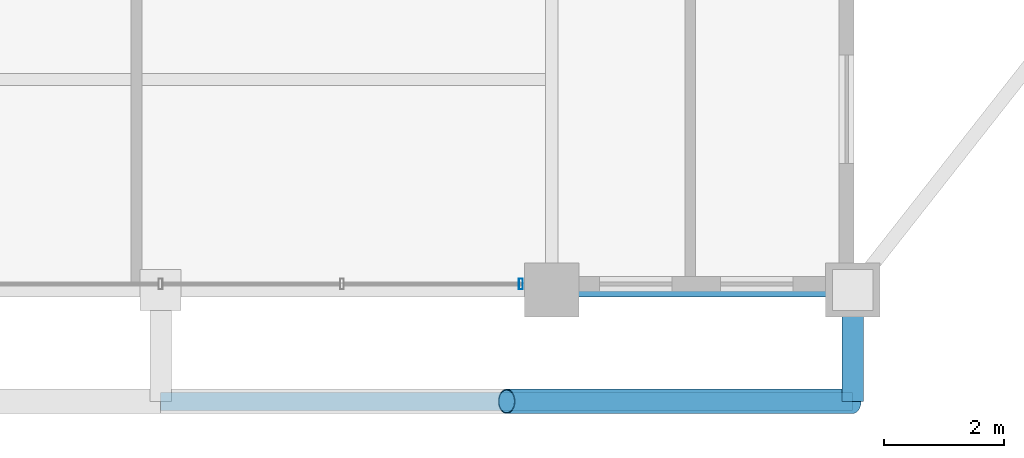
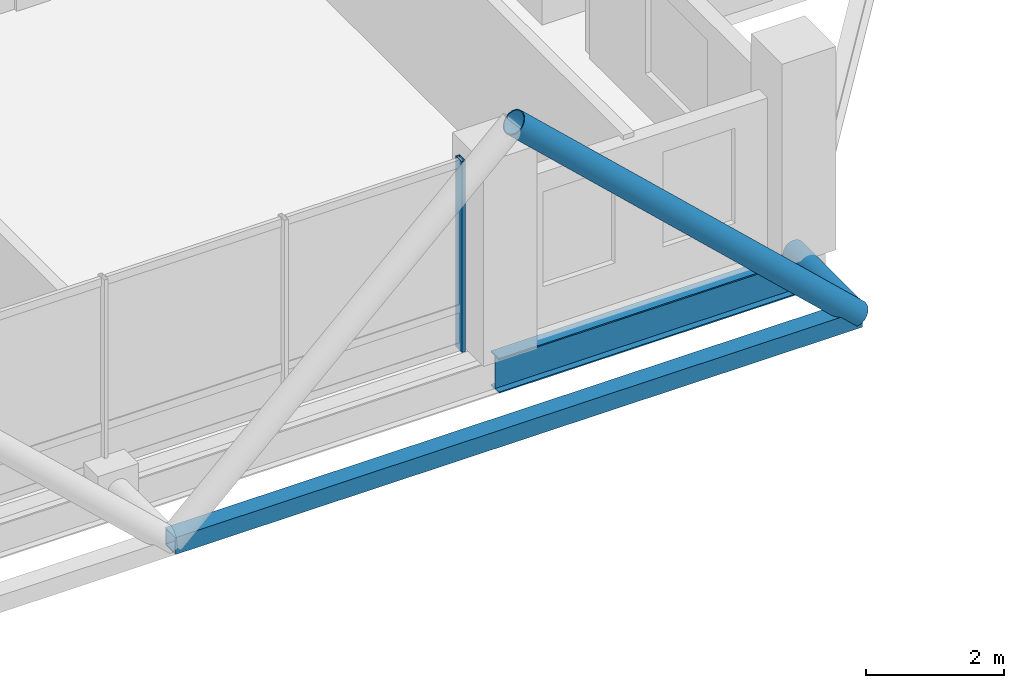
# One storey, part 6 of 24: 4 members, 1 beam, 1 element without a shape of its own.
"""IFC4 building model written with IfcOpenShell, lengths in metres."""

from ifc_helpers import new_model, si_unit, direction, frame, origin, origin_2d, place, context, subcontext, project, spatial, hollow_rectangle, hollow_circle, i_section, extrude, material, layer, layer_set, material_profile, profile_set, type_object, element, aggregate, save


model = new_model("IFC4")

# Units and contexts
model_context = context("Model", 3, precision=1e-05, world=origin(), true_north=direction((0.0, 1.0)))
body_context = subcontext(model_context, "Body", "Model", "MODEL_VIEW")
ifc_project = project(units=[si_unit("LENGTHUNIT", "METRE"), si_unit("AREAUNIT", "SQUARE_METRE"), si_unit("VOLUMEUNIT", "CUBIC_METRE"), si_unit("PLANEANGLEUNIT", "RADIAN"), si_unit("MASSUNIT", "GRAM", prefix="KILO")], contexts=[model_context])

# Site, building, storey
site_placement = place(None, origin())
site = spatial("IfcSite", under=ifc_project, at=site_placement, CompositionType="ELEMENT")
building_placement = place(site_placement, origin())
building = spatial("IfcBuilding", under=site, at=building_placement, Name="Barlavira Tower and Art Museum", CompositionType="ELEMENT")
storey_placement = place(building_placement, frame((0.0, 0.0, 283.5)))
storey = spatial("IfcBuildingStorey", under=building, at=storey_placement, Name="L74", CompositionType="ELEMENT", Elevation=283.5)

# Curtain wall, member
ifc_material_1 = material(Name="Low-iron coastal laminated glass", Category="glass")
ifc_layer = layer(ifc_material_1, 0.2099609375, Name="Low-iron coastal laminated glass")
ifc_layer_set = layer_set([ifc_layer], Name="Low-iron coastal laminated glass")
curtain_wall_type = type_object("IfcCurtainWallType", Name="Pale-Metal Unitised Curtain Wall Zone 4", PredefinedType="NOTDEFINED", material=ifc_layer_set)
curtain_wall_placement = place(storey_placement, origin())
curtain_wall = element("IfcCurtainWall", 1, at=curtain_wall_placement, inside=storey, type_object=curtain_wall_type, Name="L74 Curtain Wall CW4-L74-S-B2", PredefinedType="NOTDEFINED")
ifc_material_2 = material(Name="Pale anodised aluminium", Category="aluminium")
ifc_material_profile_1 = material_profile(ifc_material_2, hollow_rectangle(XDim=0.06494140625, YDim=0.179931640625, WallThickness=0.00390625, at=origin_2d()), Name="ALU-MULL 65x180x4")
ifc_profile_set_1 = profile_set([ifc_material_profile_1], Name="Pale anodised aluminium")
member_type_1 = type_object("IfcMemberType", Name="Curtain Wall Pale-Metal Mullion 65x180", PredefinedType="MULLION", material=ifc_profile_set_1)
member_1_placement = place(storey_placement, frame((5.985107421875, -19.89990234375, 0.0), z_axis=(0.0, 0.0, 1.0), x_axis=(1.0, 0.0, 0.0)))
member_1 = element("IfcMember", 2, at=member_1_placement, type_object=member_type_1, Name="CW4-L74-S-B2 Mullion 4", PredefinedType="MULLION", context=body_context, shape_type="SweptSolid", body=[
    extrude(hollow_rectangle(XDim=0.06494140625, YDim=0.179931640625, WallThickness=0.00390625, at=origin_2d()), origin(), (0.0, 0.0, 1.0), 3.3798828125),
])
aggregate(curtain_wall, [member_1])

# Members
ifc_material_3 = material(Name="Steel S355", Category="steel")
ifc_material_profile_2 = material_profile(ifc_material_3, hollow_circle(Radius=0.203125, WallThickness=0.01611328125, at=origin_2d()), Name="CHS 406.4x16.0")
ifc_profile_set_2 = profile_set([ifc_material_profile_2], Name="Steel S355")
member_type_2 = type_object("IfcMemberType", Name="Pale-Metal Exoskeleton Diagrid Tube CHS 406x16 Steel S355", PredefinedType="BRACE", material=ifc_profile_set_2)
member_2_placement = place(storey_placement, frame((11.5, -21.85009765625, -0.1201171875), z_axis=(-0.728934650808, 0.0, 0.684583285548), x_axis=(0.0, -1.0, 0.0)))
element("IfcMember", 3, at=member_2_placement, inside=storey, type_object=member_type_2, Name="L74 Exoskeleton Diagrid Tube S", PredefinedType="BRACE", context=body_context, shape_type="SweptSolid", body=[
    extrude(hollow_circle(Radius=0.203125, WallThickness=0.01611328125, at=origin_2d()), origin(), (0.0, 0.0, 1.0), 7.88818359375),
])
ifc_material_profile_3 = material_profile(ifc_material_3, hollow_circle(Radius=0.177734375, WallThickness=0.01611328125, at=origin_2d()), Name="CHS 355.6x16.0")
ifc_profile_set_3 = profile_set([ifc_material_profile_3], Name="Steel S355")
member_type_3 = type_object("IfcMemberType", Name="Pale-Metal Exoskeleton Tie Strut CHS 356x16 Steel S355", PredefinedType="STRUT", material=ifc_profile_set_3)
member_3_placement = place(storey_placement, frame((11.5, -21.85009765625, -0.1201171875), z_axis=(0.0, 1.0, 0.0), x_axis=(-1.0, 0.0, 0.0)))
element("IfcMember", 4, at=member_3_placement, inside=storey, type_object=member_type_3, Name="L74 Exoskeleton Tie Strut S3", PredefinedType="STRUT", context=body_context, shape_type="SweptSolid", body=[
    extrude(hollow_circle(Radius=0.177734375, WallThickness=0.01611328125, at=origin_2d()), origin(), (0.0, 0.0, 1.0), 1.85009765625),
])
ifc_material_profile_4 = material_profile(ifc_material_3, hollow_rectangle(XDim=0.300048828125, YDim=0.300048828125, WallThickness=0.01611328125, at=origin_2d()), Name="SHS 300x300x16.0")
ifc_profile_set_4 = profile_set([ifc_material_profile_4], Name="Steel S355")
member_type_4 = type_object("IfcMemberType", Name="Pale-Metal Upper Ring Strut SHS 300x300x16 Steel S355", PredefinedType="STRUT", material=ifc_profile_set_4)
member_4_placement = place(storey_placement, frame((0.0, -21.85009765625, -0.1201171875), z_axis=(1.0, 0.0, 0.0), x_axis=(0.0, 1.0, 0.0)))
element("IfcMember", 5, at=member_4_placement, inside=storey, type_object=member_type_4, Name="L74 Exoskeleton Ring Strut S", PredefinedType="STRUT", context=body_context, shape_type="SweptSolid", body=[
    extrude(hollow_rectangle(XDim=0.300048828125, YDim=0.300048828125, WallThickness=0.01611328125, at=origin_2d()), origin(), (0.0, 0.0, 1.0), 11.5),
])

# Beam
ifc_material_profile_5 = material_profile(ifc_material_3, i_section(OverallWidth=0.22998046875, OverallDepth=0.616943359375, WebThickness=0.01318359375, FlangeThickness=0.022216796875, at=origin_2d()), Name="W610x140.0")
ifc_profile_set_5 = profile_set([ifc_material_profile_5], Name="Steel S355")
beam_type = type_object("IfcBeamType", Name="Upper Shaft Spandrel Edge Beam W610x140 Steel S355", PredefinedType="SPANDREL", material=ifc_profile_set_5)
beam_placement = place(storey_placement, frame((6.5, -20.0, -0.528564453125), z_axis=(1.0, 0.0, 0.0), x_axis=(0.0, 1.0, 0.0)))
element("IfcBeam", 6, at=beam_placement, inside=storey, type_object=beam_type, Name="L74 Spandrel 3", PredefinedType="SPANDREL", context=body_context, shape_type="SweptSolid", body=[
    extrude(i_section(OverallWidth=0.22998046875, OverallDepth=0.616943359375, WebThickness=0.01318359375, FlangeThickness=0.022216796875, at=origin_2d()), origin(), (0.0, 0.0, 1.0), 5.0),
])

save(model, "model.ifc")
